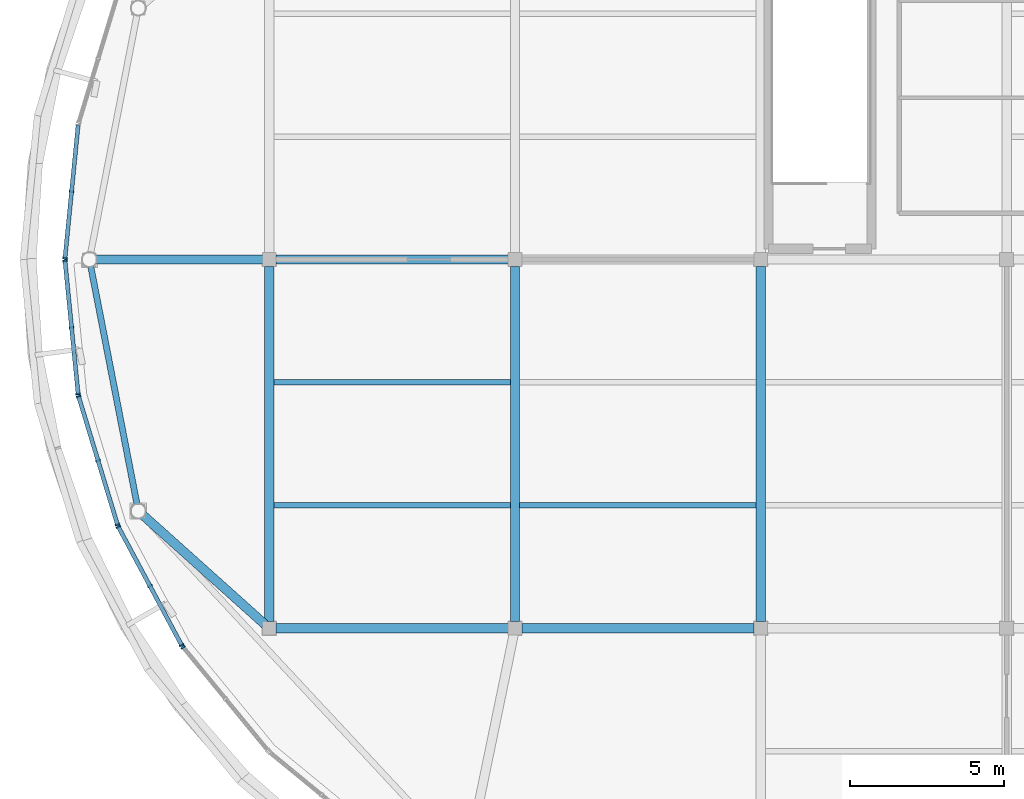
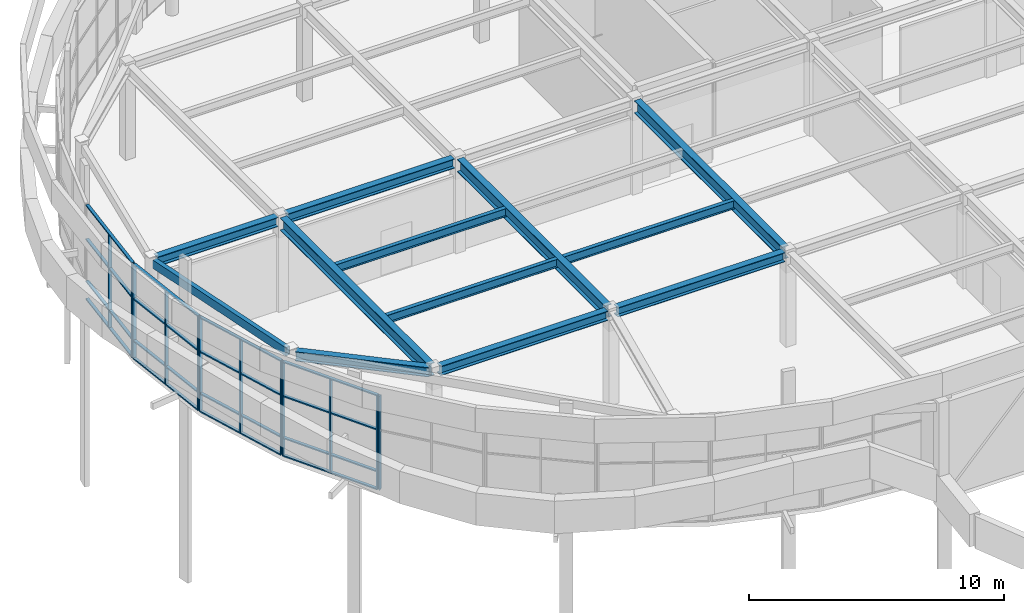
# One storey, part 12 of 63: 28 members, 12 beams, 5 elements without a shape of their own.
"""IFC4 building model written with IfcOpenShell, lengths in metres."""

from ifc_helpers import new_model, si_unit, direction, frame, origin, origin_2d, place, context, subcontext, project, spatial, rectangle, hollow_rectangle, i_section, extrude, material, layer, layer_set, material_profile, profile_set, type_object, element, aggregate, save


model = new_model("IFC4")

# Units and contexts
model_context = context("Model", 3, precision=1e-05, world=origin(), true_north=direction((0.0, 1.0)))
body_context = subcontext(model_context, "Body", "Model", "MODEL_VIEW")
ifc_project = project(units=[si_unit("LENGTHUNIT", "METRE"), si_unit("AREAUNIT", "SQUARE_METRE"), si_unit("VOLUMEUNIT", "CUBIC_METRE"), si_unit("PLANEANGLEUNIT", "RADIAN"), si_unit("MASSUNIT", "GRAM", prefix="KILO")], contexts=[model_context])

# Site, building, storey
site_placement = place(None, origin())
site = spatial("IfcSite", under=ifc_project, at=site_placement, CompositionType="ELEMENT")
building_placement = place(site_placement, origin())
building = spatial("IfcBuilding", under=site, at=building_placement, Name="Keelwater Ferry Terminal", CompositionType="ELEMENT")
storey_placement = place(building_placement, frame((0.0, 0.0, 10.199951171875)))
storey = spatial("IfcBuildingStorey", under=building, at=storey_placement, Name="L02", CompositionType="ELEMENT", Elevation=10.199951171875)

# Curtain wall, members
ifc_material_1 = material(Name="Thermally broken unitised aluminium and triple glass", Category="aluminium")
ifc_layer = layer(ifc_material_1, 0.179931640625)
ifc_layer_set = layer_set([ifc_layer], Name="Thermally broken unitised aluminium and triple glass")
curtain_wall_type = type_object("IfcCurtainWallType", Name="CW-18 Unitised Curtain Wall 4350x4480", PredefinedType="USERDEFINED", material=ifc_layer_set)
curtain_wall_1_placement = place(storey_placement, origin())
curtain_wall_1 = element("IfcCurtainWall", 1, at=curtain_wall_1_placement, inside=storey, type_object=curtain_wall_type, Name="Unitised Curtain Wall CW-L02-148", ObjectType="UNITISED CURTAIN WALL", PredefinedType="USERDEFINED")
ifc_material_2 = material(Name="Aluminium mullion", Category="aluminium")
ifc_material_profile_1 = material_profile(ifc_material_2, rectangle(XDim=0.06005859375, YDim=0.14990234375, at=origin_2d()), Name="CWM-03")
ifc_profile_set_1 = profile_set([ifc_material_profile_1], Name="Aluminium mullion")
member_type_1 = type_object("IfcMemberType", Name="CWM-03 Curtain Mullion 60x150", PredefinedType="MULLION", material=ifc_profile_set_1)
member_1_placement = place(storey_placement, frame((1.5673828125, 68.20947265625, 0.0), z_axis=(0.0, 0.0, 1.0), x_axis=(-0.098160737969, -0.995170573079, 0.0)))
member_1 = element("IfcMember", 2, at=member_1_placement, type_object=member_type_1, Name="CW-L02-148 Mullion 2", PredefinedType="MULLION", context=body_context, shape_type="SweptSolid", body=[
    extrude(rectangle(XDim=0.06005859375, YDim=0.14990234375, at=origin_2d()), origin(), (0.0, 0.0, 1.0), 4.47998046875),
])
member_2_placement = place(storey_placement, frame((1.35400390625, 66.044921875, 0.0), z_axis=(0.0, 0.0, 1.0), x_axis=(-0.098160737969, -0.995170573079, 0.0)))
member_2 = element("IfcMember", 3, at=member_2_placement, type_object=member_type_1, Name="CW-L02-148 Mullion 3", PredefinedType="MULLION", context=body_context, shape_type="SweptSolid", body=[
    extrude(rectangle(XDim=0.06005859375, YDim=0.14990234375, at=origin_2d()), origin(), (0.0, 0.0, 1.0), 4.47998046875),
])

curtain_wall_2_placement = place(storey_placement, origin())
curtain_wall_2 = element("IfcCurtainWall", 4, at=curtain_wall_2_placement, inside=storey, type_object=curtain_wall_type, Name="Unitised Curtain Wall CW-L02-149", ObjectType="UNITISED CURTAIN WALL", PredefinedType="USERDEFINED")
member_3_placement = place(storey_placement, frame((1.35400390625, 65.955078125, 0.0), z_axis=(0.0, 0.0, 1.0), x_axis=(0.098160737969, -0.995170573079, 0.0)))
member_3 = element("IfcMember", 5, at=member_3_placement, type_object=member_type_1, Name="CW-L02-149 Mullion 1", PredefinedType="MULLION", context=body_context, shape_type="SweptSolid", body=[
    extrude(rectangle(XDim=0.06005859375, YDim=0.14990234375, at=origin_2d()), origin(), (0.0, 0.0, 1.0), 4.47998046875),
])
member_4_placement = place(storey_placement, frame((1.5673828125, 63.79052734375, 0.0), z_axis=(0.0, 0.0, 1.0), x_axis=(0.098160737969, -0.995170573079, 0.0)))
member_4 = element("IfcMember", 6, at=member_4_placement, type_object=member_type_1, Name="CW-L02-149 Mullion 2", PredefinedType="MULLION", context=body_context, shape_type="SweptSolid", body=[
    extrude(rectangle(XDim=0.06005859375, YDim=0.14990234375, at=origin_2d()), origin(), (0.0, 0.0, 1.0), 4.47998046875),
])
member_5_placement = place(storey_placement, frame((1.781005859375, 61.6259765625, 0.0), z_axis=(0.0, 0.0, 1.0), x_axis=(0.098160737969, -0.995170573079, 0.0)))
member_5 = element("IfcMember", 7, at=member_5_placement, type_object=member_type_1, Name="CW-L02-149 Mullion 3", PredefinedType="MULLION", context=body_context, shape_type="SweptSolid", body=[
    extrude(rectangle(XDim=0.06005859375, YDim=0.14990234375, at=origin_2d()), origin(), (0.0, 0.0, 1.0), 4.47998046875),
])

curtain_wall_3_placement = place(storey_placement, origin())
curtain_wall_3 = element("IfcCurtainWall", 8, at=curtain_wall_3_placement, inside=storey, type_object=curtain_wall_type, Name="Unitised Curtain Wall CW-L02-150", ObjectType="UNITISED CURTAIN WALL", PredefinedType="USERDEFINED")
member_6_placement = place(storey_placement, frame((1.798095703125, 61.5380859375, 0.0), z_axis=(0.0, 0.0, 1.0), x_axis=(0.290319989003, -0.956929623319, 0.0)))
member_6 = element("IfcMember", 9, at=member_6_placement, type_object=member_type_1, Name="CW-L02-150 Mullion 1", PredefinedType="MULLION", context=body_context, shape_type="SweptSolid", body=[
    extrude(rectangle(XDim=0.06005859375, YDim=0.14990234375, at=origin_2d()), origin(), (0.0, 0.0, 1.0), 4.47998046875),
])
member_7_placement = place(storey_placement, frame((2.429443359375, 59.45654296875, 0.0), z_axis=(0.0, 0.0, 1.0), x_axis=(0.290319989003, -0.956929623319, 0.0)))
member_7 = element("IfcMember", 10, at=member_7_placement, type_object=member_type_1, Name="CW-L02-150 Mullion 2", PredefinedType="MULLION", context=body_context, shape_type="SweptSolid", body=[
    extrude(rectangle(XDim=0.06005859375, YDim=0.14990234375, at=origin_2d()), origin(), (0.0, 0.0, 1.0), 4.47998046875),
])
member_8_placement = place(storey_placement, frame((3.06103515625, 57.375, 0.0), z_axis=(0.0, 0.0, 1.0), x_axis=(0.290319989003, -0.956929623319, 0.0)))
member_8 = element("IfcMember", 11, at=member_8_placement, type_object=member_type_1, Name="CW-L02-150 Mullion 3", PredefinedType="MULLION", context=body_context, shape_type="SweptSolid", body=[
    extrude(rectangle(XDim=0.06005859375, YDim=0.14990234375, at=origin_2d()), origin(), (0.0, 0.0, 1.0), 4.47998046875),
])

curtain_wall_4_placement = place(storey_placement, origin())
curtain_wall_4 = element("IfcCurtainWall", 12, at=curtain_wall_4_placement, inside=storey, type_object=curtain_wall_type, Name="Unitised Curtain Wall CW-L02-151", ObjectType="UNITISED CURTAIN WALL", PredefinedType="USERDEFINED")
member_9_placement = place(storey_placement, frame((3.094970703125, 57.2919921875, 0.0), z_axis=(0.0, 0.0, 1.0), x_axis=(0.471506749303, -0.881862452632, 0.0)))
member_9 = element("IfcMember", 13, at=member_9_placement, type_object=member_type_1, Name="CW-L02-151 Mullion 1", PredefinedType="MULLION", context=body_context, shape_type="SweptSolid", body=[
    extrude(rectangle(XDim=0.06005859375, YDim=0.14990234375, at=origin_2d()), origin(), (0.0, 0.0, 1.0), 4.47998046875),
])
member_10_placement = place(storey_placement, frame((4.12060546875, 55.3740234375, 0.0), z_axis=(0.0, 0.0, 1.0), x_axis=(0.471506749303, -0.881862452632, 0.0)))
member_10 = element("IfcMember", 14, at=member_10_placement, type_object=member_type_1, Name="CW-L02-151 Mullion 2", PredefinedType="MULLION", context=body_context, shape_type="SweptSolid", body=[
    extrude(rectangle(XDim=0.06005859375, YDim=0.14990234375, at=origin_2d()), origin(), (0.0, 0.0, 1.0), 4.47998046875),
])
member_11_placement = place(storey_placement, frame((5.14599609375, 53.4560546875, 0.0), z_axis=(0.0, 0.0, 1.0), x_axis=(0.471506749303, -0.881862452632, 0.0)))
member_11 = element("IfcMember", 15, at=member_11_placement, type_object=member_type_1, Name="CW-L02-151 Mullion 3", PredefinedType="MULLION", context=body_context, shape_type="SweptSolid", body=[
    extrude(rectangle(XDim=0.06005859375, YDim=0.14990234375, at=origin_2d()), origin(), (0.0, 0.0, 1.0), 4.47998046875),
])

# Curtain wall, member
curtain_wall_5_placement = place(storey_placement, origin())
curtain_wall_5 = element("IfcCurtainWall", 16, at=curtain_wall_5_placement, inside=storey, type_object=curtain_wall_type, Name="Unitised Curtain Wall CW-L02-152", ObjectType="UNITISED CURTAIN WALL", PredefinedType="USERDEFINED")
member_12_placement = place(storey_placement, frame((5.196044921875, 53.381103515625, 0.0), z_axis=(0.0, 0.0, 1.0), x_axis=(0.634376508991, -0.773024220086, 0.0)))
member_12 = element("IfcMember", 17, at=member_12_placement, type_object=member_type_1, Name="CW-L02-152 Mullion 1", PredefinedType="MULLION", context=body_context, shape_type="SweptSolid", body=[
    extrude(rectangle(XDim=0.06005859375, YDim=0.14990234375, at=origin_2d()), origin(), (0.0, 0.0, 1.0), 4.47998046875),
])
aggregate(curtain_wall_5, [member_12])

# Member
ifc_material_3 = material(Name="Aluminium mullion", Category="aluminium")
ifc_material_profile_2 = material_profile(ifc_material_3, rectangle(XDim=0.135009765625, YDim=0.06005859375, at=origin_2d()), Name="CWT-03")
ifc_profile_set_2 = profile_set([ifc_material_profile_2], Name="Aluminium mullion")
member_type_2 = type_object("IfcMemberType", Name="CWT-03 Curtain Transom 60x135", PredefinedType="USERDEFINED", material=ifc_profile_set_2)
member_13_placement = place(storey_placement, frame((1.781005859375, 70.3740234375, 0.0), z_axis=(-0.098158901932, -0.995170754178, 0.0), x_axis=(0.995170754178, -0.098158901932, 0.0)))
member_13 = element("IfcMember", 18, at=member_13_placement, type_object=member_type_2, Name="CW-L02-148 Transom 1", ObjectType="TRANSOM", PredefinedType="USERDEFINED", context=body_context, shape_type="SweptSolid", body=[
    extrude(rectangle(XDim=0.135009765625, YDim=0.06005859375, at=origin_2d()), origin(), (0.0, 0.0, 1.0), 4.35009765625),
])

member_14_placement = place(storey_placement, frame((1.781005859375, 70.3740234375, 0.85009765625), z_axis=(-0.098158901932, -0.995170754178, 0.0), x_axis=(0.995170754178, -0.098158901932, 0.0)))
member_14 = element("IfcMember", 19, at=member_14_placement, type_object=member_type_2, Name="CW-L02-148 Transom 2", ObjectType="TRANSOM", PredefinedType="USERDEFINED", context=body_context, shape_type="SweptSolid", body=[
    extrude(rectangle(XDim=0.135009765625, YDim=0.06005859375, at=origin_2d()), origin(), (0.0, 0.0, 1.0), 4.35009765625),
])

member_15_placement = place(storey_placement, frame((1.781005859375, 70.3740234375, 2.85009765625), z_axis=(-0.098158901932, -0.995170754178, 0.0), x_axis=(0.995170754178, -0.098158901932, 0.0)))
member_15 = element("IfcMember", 20, at=member_15_placement, type_object=member_type_2, Name="CW-L02-148 Transom 3", ObjectType="TRANSOM", PredefinedType="USERDEFINED", context=body_context, shape_type="SweptSolid", body=[
    extrude(rectangle(XDim=0.135009765625, YDim=0.06005859375, at=origin_2d()), origin(), (0.0, 0.0, 1.0), 4.35009765625),
])

member_16_placement = place(storey_placement, frame((1.781005859375, 70.3740234375, 4.47998046875), z_axis=(-0.098158901932, -0.995170754178, 0.0), x_axis=(0.995170754178, -0.098158901932, 0.0)))
member_16 = element("IfcMember", 21, at=member_16_placement, type_object=member_type_2, Name="CW-L02-148 Transom 4", ObjectType="TRANSOM", PredefinedType="USERDEFINED", context=body_context, shape_type="SweptSolid", body=[
    extrude(rectangle(XDim=0.135009765625, YDim=0.06005859375, at=origin_2d()), origin(), (0.0, 0.0, 1.0), 4.35009765625),
])

aggregate(curtain_wall_1, [member_1, member_2, member_13, member_14, member_15, member_16])

member_17_placement = place(storey_placement, frame((1.35400390625, 65.955078125, 0.0), z_axis=(0.098158901932, -0.995170754178, 0.0), x_axis=(0.995170754178, 0.098158901932, 0.0)))
member_17 = element("IfcMember", 22, at=member_17_placement, type_object=member_type_2, Name="CW-L02-149 Transom 1", ObjectType="TRANSOM", PredefinedType="USERDEFINED", context=body_context, shape_type="SweptSolid", body=[
    extrude(rectangle(XDim=0.135009765625, YDim=0.06005859375, at=origin_2d()), origin(), (0.0, 0.0, 1.0), 4.35009765625),
])

member_18_placement = place(storey_placement, frame((1.35400390625, 65.955078125, 0.85009765625), z_axis=(0.098158901932, -0.995170754178, 0.0), x_axis=(0.995170754178, 0.098158901932, 0.0)))
member_18 = element("IfcMember", 23, at=member_18_placement, type_object=member_type_2, Name="CW-L02-149 Transom 2", ObjectType="TRANSOM", PredefinedType="USERDEFINED", context=body_context, shape_type="SweptSolid", body=[
    extrude(rectangle(XDim=0.135009765625, YDim=0.06005859375, at=origin_2d()), origin(), (0.0, 0.0, 1.0), 4.35009765625),
])

member_19_placement = place(storey_placement, frame((1.35400390625, 65.955078125, 2.85009765625), z_axis=(0.098158901932, -0.995170754178, 0.0), x_axis=(0.995170754178, 0.098158901932, 0.0)))
member_19 = element("IfcMember", 24, at=member_19_placement, type_object=member_type_2, Name="CW-L02-149 Transom 3", ObjectType="TRANSOM", PredefinedType="USERDEFINED", context=body_context, shape_type="SweptSolid", body=[
    extrude(rectangle(XDim=0.135009765625, YDim=0.06005859375, at=origin_2d()), origin(), (0.0, 0.0, 1.0), 4.35009765625),
])

member_20_placement = place(storey_placement, frame((1.35400390625, 65.955078125, 4.47998046875), z_axis=(0.098158901932, -0.995170754178, 0.0), x_axis=(0.995170754178, 0.098158901932, 0.0)))
member_20 = element("IfcMember", 25, at=member_20_placement, type_object=member_type_2, Name="CW-L02-149 Transom 4", ObjectType="TRANSOM", PredefinedType="USERDEFINED", context=body_context, shape_type="SweptSolid", body=[
    extrude(rectangle(XDim=0.135009765625, YDim=0.06005859375, at=origin_2d()), origin(), (0.0, 0.0, 1.0), 4.35009765625),
])

aggregate(curtain_wall_2, [member_3, member_4, member_5, member_17, member_18, member_19, member_20])

member_21_placement = place(storey_placement, frame((1.798095703125, 61.5380859375, 0.0), z_axis=(0.290301756665, -0.956935154583, 0.0), x_axis=(0.956935154583, 0.290301756665, 0.0)))
member_21 = element("IfcMember", 26, at=member_21_placement, type_object=member_type_2, Name="CW-L02-150 Transom 1", ObjectType="TRANSOM", PredefinedType="USERDEFINED", context=body_context, shape_type="SweptSolid", body=[
    extrude(rectangle(XDim=0.135009765625, YDim=0.06005859375, at=origin_2d()), origin(), (0.0, 0.0, 1.0), 4.350341796875),
])

member_22_placement = place(storey_placement, frame((1.798095703125, 61.5380859375, 0.85009765625), z_axis=(0.290301756665, -0.956935154583, 0.0), x_axis=(0.956935154583, 0.290301756665, 0.0)))
member_22 = element("IfcMember", 27, at=member_22_placement, type_object=member_type_2, Name="CW-L02-150 Transom 2", ObjectType="TRANSOM", PredefinedType="USERDEFINED", context=body_context, shape_type="SweptSolid", body=[
    extrude(rectangle(XDim=0.135009765625, YDim=0.06005859375, at=origin_2d()), origin(), (0.0, 0.0, 1.0), 4.350341796875),
])

member_23_placement = place(storey_placement, frame((1.798095703125, 61.5380859375, 2.85009765625), z_axis=(0.290301756665, -0.956935154583, 0.0), x_axis=(0.956935154583, 0.290301756665, 0.0)))
member_23 = element("IfcMember", 28, at=member_23_placement, type_object=member_type_2, Name="CW-L02-150 Transom 3", ObjectType="TRANSOM", PredefinedType="USERDEFINED", context=body_context, shape_type="SweptSolid", body=[
    extrude(rectangle(XDim=0.135009765625, YDim=0.06005859375, at=origin_2d()), origin(), (0.0, 0.0, 1.0), 4.350341796875),
])

member_24_placement = place(storey_placement, frame((1.798095703125, 61.5380859375, 4.47998046875), z_axis=(0.290301756665, -0.956935154583, 0.0), x_axis=(0.956935154583, 0.290301756665, 0.0)))
member_24 = element("IfcMember", 29, at=member_24_placement, type_object=member_type_2, Name="CW-L02-150 Transom 4", ObjectType="TRANSOM", PredefinedType="USERDEFINED", context=body_context, shape_type="SweptSolid", body=[
    extrude(rectangle(XDim=0.135009765625, YDim=0.06005859375, at=origin_2d()), origin(), (0.0, 0.0, 1.0), 4.350341796875),
])

aggregate(curtain_wall_3, [member_6, member_7, member_8, member_21, member_22, member_23, member_24])

member_25_placement = place(storey_placement, frame((3.094970703125, 57.2919921875, 0.0), z_axis=(0.471517263122, -0.881856831112, 0.0), x_axis=(0.881856831112, 0.471517263122, 0.0)))
member_25 = element("IfcMember", 30, at=member_25_placement, type_object=member_type_2, Name="CW-L02-151 Transom 1", ObjectType="TRANSOM", PredefinedType="USERDEFINED", context=body_context, shape_type="SweptSolid", body=[
    extrude(rectangle(XDim=0.135009765625, YDim=0.06005859375, at=origin_2d()), origin(), (0.0, 0.0, 1.0), 4.349853515625),
])

member_26_placement = place(storey_placement, frame((3.094970703125, 57.2919921875, 0.85009765625), z_axis=(0.471517263122, -0.881856831112, 0.0), x_axis=(0.881856831112, 0.471517263122, 0.0)))
member_26 = element("IfcMember", 31, at=member_26_placement, type_object=member_type_2, Name="CW-L02-151 Transom 2", ObjectType="TRANSOM", PredefinedType="USERDEFINED", context=body_context, shape_type="SweptSolid", body=[
    extrude(rectangle(XDim=0.135009765625, YDim=0.06005859375, at=origin_2d()), origin(), (0.0, 0.0, 1.0), 4.349853515625),
])

member_27_placement = place(storey_placement, frame((3.094970703125, 57.2919921875, 2.85009765625), z_axis=(0.471517263122, -0.881856831112, 0.0), x_axis=(0.881856831112, 0.471517263122, 0.0)))
member_27 = element("IfcMember", 32, at=member_27_placement, type_object=member_type_2, Name="CW-L02-151 Transom 3", ObjectType="TRANSOM", PredefinedType="USERDEFINED", context=body_context, shape_type="SweptSolid", body=[
    extrude(rectangle(XDim=0.135009765625, YDim=0.06005859375, at=origin_2d()), origin(), (0.0, 0.0, 1.0), 4.349853515625),
])

member_28_placement = place(storey_placement, frame((3.094970703125, 57.2919921875, 4.47998046875), z_axis=(0.471517263122, -0.881856831112, 0.0), x_axis=(0.881856831112, 0.471517263122, 0.0)))
member_28 = element("IfcMember", 33, at=member_28_placement, type_object=member_type_2, Name="CW-L02-151 Transom 4", ObjectType="TRANSOM", PredefinedType="USERDEFINED", context=body_context, shape_type="SweptSolid", body=[
    extrude(rectangle(XDim=0.135009765625, YDim=0.06005859375, at=origin_2d()), origin(), (0.0, 0.0, 1.0), 4.349853515625),
])

aggregate(curtain_wall_4, [member_9, member_10, member_11, member_25, member_26, member_27, member_28])

# Beams
ifc_material_4 = material(Name="Steel S355", Category="steel")
ifc_material_profile_3 = material_profile(ifc_material_4, i_section(OverallWidth=0.300048828125, OverallDepth=0.60009765625, WebThickness=0.015380859375, FlangeThickness=0.030029296875, at=origin_2d()), Name="HEB 600")
ifc_profile_set_3 = profile_set([ifc_material_profile_3], Name="Steel S355")
beam_type_1 = type_object("IfcBeamType", Name="G3 HEB 600", PredefinedType="BEAM", material=ifc_profile_set_3)
beam_1_placement = place(storey_placement, frame((24.0, 54.219970703125, 4.219970703125), z_axis=(0.0, 1.0, 0.0), x_axis=(-1.0, 0.0, 0.0)))
element("IfcBeam", 34, at=beam_1_placement, inside=storey, type_object=beam_type_1, Name="Beam BM-L02-1077", PredefinedType="BEAM", context=body_context, shape_type="SweptSolid", body=[
    extrude(i_section(OverallWidth=0.300048828125, OverallDepth=0.60009765625, WebThickness=0.015380859375, FlangeThickness=0.030029296875, at=origin_2d()), origin(), (0.0, 0.0, 1.0), 11.56005859375),
])
ifc_material_5 = material(Name="Steel S355", Category="steel")
ifc_material_profile_4 = material_profile(ifc_material_5, i_section(OverallWidth=0.300048828125, OverallDepth=0.60009765625, WebThickness=0.015380859375, FlangeThickness=0.030029296875, at=origin_2d()), Name="HEB 600")
ifc_profile_set_4 = profile_set([ifc_material_profile_4], Name="Steel S355")
beam_type_2 = type_object("IfcBeamType", Name="G3E HEB 600", PredefinedType="BEAM", material=ifc_profile_set_4)
for number, where, z_axis, x_axis, name in (
    (35, (8.0, 54.219970703125, 4.219970703125), (0.0, 1.0, 0.0), (-1.0, 0.0, 0.0), "Beam BM-L02-1072"),
    (36, (16.0, 54.219970703125, 4.219970703125), (0.0, 1.0, 0.0), (-1.0, 0.0, 0.0), "Beam BM-L02-1074"),
):
    element("IfcBeam", number, at=place(storey_placement, frame(where, z_axis=z_axis, x_axis=x_axis)), inside=storey, type_object=beam_type_2, Name=name, PredefinedType="BEAM", context=body_context, shape_type="SweptSolid", body=[
        extrude(i_section(OverallWidth=0.300048828125, OverallDepth=0.60009765625, WebThickness=0.015380859375, FlangeThickness=0.030029296875, at=origin_2d()), origin(), (0.0, 0.0, 1.0), 11.56005859375),
    ])
ifc_material_6 = material(Name="Steel S355", Category="steel")
ifc_material_profile_5 = material_profile(ifc_material_6, i_section(OverallWidth=0.300048828125, OverallDepth=0.449951171875, WebThickness=0.013916015625, FlangeThickness=0.02587890625, at=origin_2d()), Name="HEB 450")
ifc_profile_set_5 = profile_set([ifc_material_profile_5], Name="Steel S355")
beam_type_3 = type_object("IfcBeamType", Name="G6 HEB 450", PredefinedType="BEAM", material=ifc_profile_set_5)
beam_2_placement = place(storey_placement, frame((8.219970703125, 54.0, 4.295166015625), z_axis=(1.0, 0.0, 0.0), x_axis=(0.0, 1.0, 0.0)))
element("IfcBeam", 37, at=beam_2_placement, inside=storey, type_object=beam_type_3, Name="Beam BM-L02-0996", PredefinedType="BEAM", context=body_context, shape_type="SweptSolid", body=[
    extrude(i_section(OverallWidth=0.300048828125, OverallDepth=0.449951171875, WebThickness=0.013916015625, FlangeThickness=0.02587890625, at=origin_2d()), origin(), (0.0, 0.0, 1.0), 7.56005859375),
])
beam_3_placement = place(storey_placement, frame((16.220947265625, 54.0, 4.295166015625), z_axis=(1.0, 0.0, 0.0), x_axis=(0.0, 1.0, 0.0)))
element("IfcBeam", 38, at=beam_3_placement, inside=storey, type_object=beam_type_3, Name="Beam BM-L02-0997", PredefinedType="BEAM", context=body_context, shape_type="SweptSolid", body=[
    extrude(i_section(OverallWidth=0.300048828125, OverallDepth=0.449951171875, WebThickness=0.013916015625, FlangeThickness=0.02587890625, at=origin_2d()), origin(), (0.0, 0.0, 1.0), 7.55908203125),
])
beam_4_placement = place(storey_placement, frame((8.219970703125, 66.0, 4.295166015625), z_axis=(1.0, 0.0, 0.0), x_axis=(0.0, 1.0, 0.0)))
element("IfcBeam", 39, at=beam_4_placement, inside=storey, type_object=beam_type_3, Name="Beam BM-L02-1007", PredefinedType="BEAM", context=body_context, shape_type="SweptSolid", body=[
    extrude(i_section(OverallWidth=0.300048828125, OverallDepth=0.449951171875, WebThickness=0.013916015625, FlangeThickness=0.02587890625, at=origin_2d()), origin(), (0.0, 0.0, 1.0), 7.56005859375),
])
beam_5_placement = place(storey_placement, frame((2.340087890625, 66.0, 4.295166015625), z_axis=(1.0, 0.0, 0.0), x_axis=(0.0, 1.0, 0.0)))
element("IfcBeam", 40, at=beam_5_placement, inside=storey, type_object=beam_type_3, Name="Beam BM-L02-1272", PredefinedType="BEAM", context=body_context, shape_type="SweptSolid", body=[
    extrude(i_section(OverallWidth=0.300048828125, OverallDepth=0.449951171875, WebThickness=0.013916015625, FlangeThickness=0.02587890625, at=origin_2d()), origin(), (0.0, 0.0, 1.0), 5.469970703125),
])
beam_6_placement = place(storey_placement, frame((3.883056640625, 57.68798828125, 4.295166015625), z_axis=(0.74481402032, -0.667272114759, 0.0), x_axis=(0.667272114759, 0.74481402032, 0.0)))
element("IfcBeam", 41, at=beam_6_placement, inside=storey, type_object=beam_type_3, Name="Beam BM-L02-1273", PredefinedType="BEAM", context=body_context, shape_type="SweptSolid", body=[
    extrude(i_section(OverallWidth=0.300048828125, OverallDepth=0.449951171875, WebThickness=0.013916015625, FlangeThickness=0.02587890625, at=origin_2d()), origin(), (0.0, 0.0, 1.0), 5.336669921875),
])
ifc_material_7 = material(Name="Steel S355", Category="steel")
ifc_material_profile_6 = material_profile(ifc_material_7, i_section(OverallWidth=0.179931640625, OverallDepth=0.39990234375, WebThickness=0.008544921875, FlangeThickness=0.013427734375, at=origin_2d()), Name="IPE 400")
ifc_profile_set_6 = profile_set([ifc_material_profile_6], Name="Steel S355")
beam_type_4 = type_object("IfcBeamType", Name="J5 IPE 400", PredefinedType="JOIST", material=ifc_profile_set_6)
for number, where, z_axis, x_axis, name in (
    (42, (8.14990234375, 58.0, 4.320068359375), (1.0, 0.0, 0.0), (0.0, 1.0, 0.0), "Beam BM-L02-1148"),
    (43, (8.14990234375, 62.0, 4.320068359375), (1.0, 0.0, 0.0), (0.0, 1.0, 0.0), "Beam BM-L02-1149"),
    (44, (16.14990234375, 58.0, 4.320068359375), (1.0, 0.0, 0.0), (0.0, 1.0, 0.0), "Beam BM-L02-1152"),
):
    element("IfcBeam", number, at=place(storey_placement, frame(where, z_axis=z_axis, x_axis=x_axis)), inside=storey, type_object=beam_type_4, Name=name, PredefinedType="JOIST", context=body_context, shape_type="SweptSolid", body=[
        extrude(i_section(OverallWidth=0.179931640625, OverallDepth=0.39990234375, WebThickness=0.008544921875, FlangeThickness=0.013427734375, at=origin_2d()), origin(), (0.0, 0.0, 1.0), 7.7001953125),
    ])
ifc_material_8 = material(Name="Steel S355", Category="steel")
ifc_material_profile_7 = material_profile(ifc_material_8, hollow_rectangle(XDim=0.199951171875, YDim=0.39990234375, WallThickness=0.01611328125, at=origin_2d()), Name="RHS 400x200x16")
ifc_profile_set_7 = profile_set([ifc_material_profile_7], Name="Steel S355")
beam_type_5 = type_object("IfcBeamType", Name="SP3E RHS 400x200x16", PredefinedType="SPANDREL", material=ifc_profile_set_7)
beam_7_placement = place(storey_placement, frame((2.18603515625, 65.81298828125, 4.320068359375), z_axis=(0.190897579934, -0.981609960206, 0.0), x_axis=(0.981609960206, 0.190897579934, 0.0)))
element("IfcBeam", 45, at=beam_7_placement, inside=storey, type_object=beam_type_5, Name="Beam BM-L02-1268", PredefinedType="SPANDREL", context=body_context, shape_type="SweptSolid", body=[
    extrude(hollow_rectangle(XDim=0.199951171875, YDim=0.39990234375, WallThickness=0.01611328125, at=origin_2d()), origin(), (0.0, 0.0, 1.0), 7.957275390625),
])

save(model, "model.ifc")
